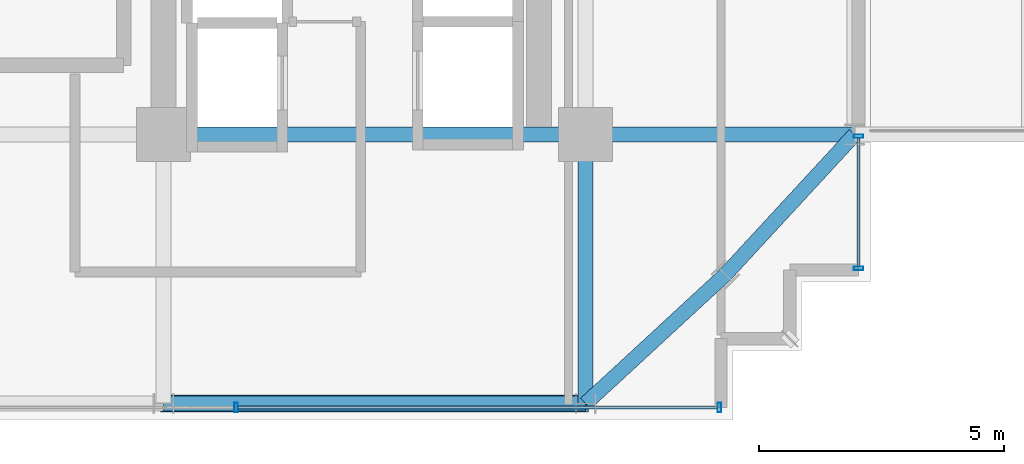
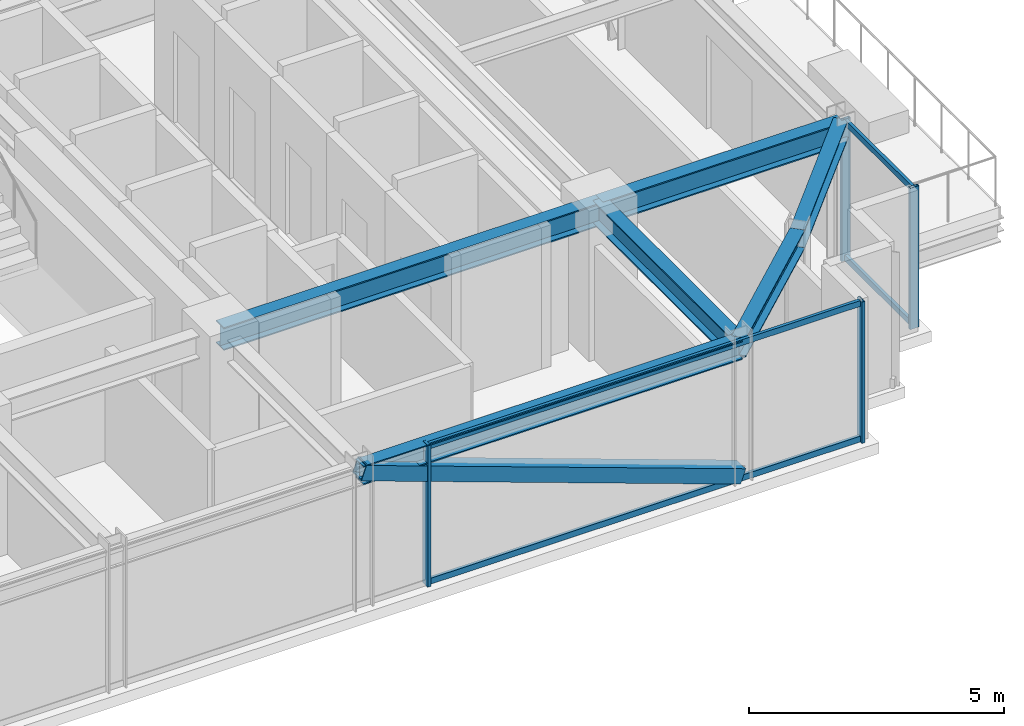
# One storey, part 14 of 41: 9 members, 6 beams, 2 elements without a shape of their own.
"""IFC4 building model written with IfcOpenShell, lengths in metres."""

from ifc_helpers import new_model, si_unit, direction, frame, origin, origin_2d, place, context, subcontext, project, spatial, hollow_rectangle, i_section, extrude, source, transform, mapped, material, material_profile, profile_set, type_object, element, aggregate, save


model = new_model("IFC4")

# Units and contexts
model_context = context("Model", 3, precision=1e-05, world=origin(), true_north=direction((0.0, 1.0)))
body_context = subcontext(model_context, "Body", "Model", "MODEL_VIEW")
ifc_project = project(units=[si_unit("LENGTHUNIT", "METRE"), si_unit("AREAUNIT", "SQUARE_METRE"), si_unit("VOLUMEUNIT", "CUBIC_METRE"), si_unit("PLANEANGLEUNIT", "RADIAN"), si_unit("MASSUNIT", "GRAM", prefix="KILO")], contexts=[model_context])

# Site, building, storey
site_placement = place(None, origin())
site = spatial("IfcSite", under=ifc_project, at=site_placement, CompositionType="ELEMENT")
building_placement = place(site_placement, origin())
building = spatial("IfcBuilding", under=site, at=building_placement, Name="Nahalor Promenade Grand Hotel", CompositionType="ELEMENT")
storey_placement = place(building_placement, frame((0.0, 0.0, 159.949951171875)))
storey = spatial("IfcBuildingStorey", under=building, at=storey_placement, Name="L40", CompositionType="ELEMENT", Elevation=159.949951171875)

# Beams
ifc_material_1 = material(Name="Steel S355JR", Category="steel")
ifc_material_profile_1 = material_profile(ifc_material_1, i_section(OverallWidth=0.3, OverallDepth=0.55, WebThickness=0.015, FlangeThickness=0.029, at=origin_2d()), Name="HEB 550")
ifc_profile_set_1 = profile_set([ifc_material_profile_1], Name="Steel S355JR")
beam_type_1 = type_object("IfcBeamType", Name="Beam-Girder-HEB550", PredefinedType="BEAM", material=ifc_profile_set_1)
shared_shape_1 = source(origin(), body_context, "Body", "SweptSolid", [
    extrude(i_section(OverallWidth=0.3, OverallDepth=0.55, WebThickness=0.015, FlangeThickness=0.029, at=origin_2d()), origin(), (0.0, 0.0, 1.0), 8.60009765625),
])
beam_1_placement = place(storey_placement, frame((8.39990234375, -17.0, 3.114990234375), z_axis=(1.0, 0.0, 0.0), x_axis=(0.0, 1.0, 0.0)))
element("IfcBeam", 1, at=beam_1_placement, inside=storey, type_object=beam_type_1, Name="BM-L40-GX-0-5", PredefinedType="BEAM", context=body_context, shape_type="MappedRepresentation", body=[
    mapped(shared_shape_1, transform((0.0, 0.0, 0.0), scale=1.0)),
])
shared_shape_2 = source(origin(), body_context, "Body", "SweptSolid", [
    extrude(i_section(OverallWidth=0.3, OverallDepth=0.55, WebThickness=0.015, FlangeThickness=0.029, at=origin_2d()), origin(), (0.0, 0.0, 1.0), 5.47998046875),
])
for number, where, z_axis, x_axis, name in (
    (2, (17.0, -17.0, 3.114990234375), (1.0, 0.0, 0.0), (0.0, 1.0, 0.0), "BM-L40-GX-0-6"),
    (3, (17.0, -22.47998046875, 3.114990234375), (0.0, 1.0, 0.0), (-1.0, 0.0, 0.0), "BM-L40-GY-5-0"),
):
    element("IfcBeam", number, at=place(storey_placement, frame(where, z_axis=z_axis, x_axis=x_axis)), inside=storey, type_object=beam_type_1, Name=name, PredefinedType="BEAM", context=body_context, shape_type="MappedRepresentation", body=[
        mapped(shared_shape_2, transform((0.0, 0.0, 0.0), scale=1.0)),
    ])
ifc_material_profile_2 = material_profile(ifc_material_1, i_section(OverallWidth=0.3, OverallDepth=0.45, WebThickness=0.014, FlangeThickness=0.026, at=origin_2d()), Name="HEB 450")
ifc_profile_set_2 = profile_set([ifc_material_profile_2], Name="Steel S355JR")
beam_type_2 = type_object("IfcBeamType", Name="Beam-Spandrel-HEB450", PredefinedType="SPANDREL", material=ifc_profile_set_2)
shared_shape_3 = source(origin(), body_context, "Body", "SweptSolid", [
    extrude(i_section(OverallWidth=0.3, OverallDepth=0.45, WebThickness=0.014, FlangeThickness=0.026, at=origin_2d()), origin(), (0.0, 0.0, 1.0), 8.60009765625),
])
beam_2_placement = place(storey_placement, frame((8.39990234375, -22.47998046875, 3.1650390625), z_axis=(1.0, 0.0, 0.0), x_axis=(0.0, 1.0, 0.0)))
element("IfcBeam", 4, at=beam_2_placement, inside=storey, type_object=beam_type_2, Name="BM-L40-SP-S-4", PredefinedType="SPANDREL", context=body_context, shape_type="MappedRepresentation", body=[
    mapped(shared_shape_3, transform((0.0, 0.0, 0.0), scale=1.0)),
])
shared_shape_4 = source(origin(), body_context, "Body", "SweptSolid", [
    extrude(i_section(OverallWidth=0.3, OverallDepth=0.45, WebThickness=0.014, FlangeThickness=0.026, at=origin_2d()), origin(), (0.0, 0.0, 1.0), 3.878173828125),
])
for number, where, z_axis, x_axis, name in (
    (5, (17.0, -22.47998046875, 3.1650390625), (0.73492893846, 0.678144125843, 0.0), (-0.678144125843, 0.73492893846, 0.0), "BM-L40-SPC-SE-1"),
    (6, (19.85009765625, -19.85009765625, 3.1650390625), (0.678144125843, 0.73492893846, 0.0), (-0.73492893846, 0.678144125843, 0.0), "BM-L40-SPC-SE-2"),
):
    element("IfcBeam", number, at=place(storey_placement, frame(where, z_axis=z_axis, x_axis=x_axis)), inside=storey, type_object=beam_type_2, Name=name, PredefinedType="SPANDREL", context=body_context, shape_type="MappedRepresentation", body=[
        mapped(shared_shape_4, transform((0.0, 0.0, 0.0), scale=1.0)),
    ])

# Member
ifc_material_profile_3 = material_profile(ifc_material_1, hollow_rectangle(XDim=0.35, YDim=0.35, WallThickness=0.02, at=origin_2d()), Name="SHS 350x350x20")
ifc_profile_set_3 = profile_set([ifc_material_profile_3], Name="Steel S355JR")
member_type_1 = type_object("IfcMemberType", Name="Mem-VoidBrace-SHS350", PredefinedType="BRACE", material=ifc_profile_set_3)
shared_shape_5 = source(origin(), body_context, "Body", "SweptSolid", [
    extrude(hollow_rectangle(XDim=0.35, YDim=0.35, WallThickness=0.02, at=origin_2d()), origin(), (0.0, 0.0, 1.0), 9.138427734375),
])
member_1_placement = place(storey_placement, frame((17.0, -22.47998046875, 0.150146484375), z_axis=(-0.941103144716, 0.0, 0.338119610501), x_axis=(0.0, -1.0, 0.0)))
element("IfcMember", 7, at=member_1_placement, inside=storey, type_object=member_type_1, Name="EXO-L40-S-1", PredefinedType="BRACE", context=body_context, shape_type="MappedRepresentation", body=[
    mapped(shared_shape_5, transform((0.0, 0.0, 0.0), scale=1.0)),
])

# Curtain wall, members
ifc_material_2 = material(Name="Anodised Bronze Aluminium EN AW-6063 T6", Category="aluminium")
curtain_wall_type = type_object("IfcCurtainWallType", Name="CW3 Elliptical-Void Collar Unitised Curtain Wall", PredefinedType="USERDEFINED", material=ifc_material_2)
curtain_wall_1_placement = place(storey_placement, origin())
curtain_wall_1 = element("IfcCurtainWall", 8, at=curtain_wall_1_placement, inside=storey, type_object=curtain_wall_type, Name="L40 Curtain Wall CW-L40-S-1", ObjectType="UNITISED_CURTAIN_WALL", PredefinedType="USERDEFINED")
ifc_material_profile_4 = material_profile(ifc_material_2, hollow_rectangle(XDim=0.07, YDim=0.2, WallThickness=0.005, at=origin_2d()), Name="CWM 70x200x5")
ifc_profile_set_4 = profile_set([ifc_material_profile_4], Name="Anodised Bronze Aluminium EN AW-6063 T6")
member_type_2 = type_object("IfcMemberType", Name="CWM3 Void Collar Mullion 70x200", PredefinedType="MULLION", material=ifc_profile_set_4)
shared_shape_6 = source(origin(), body_context, "Body", "SweptSolid", [
    extrude(hollow_rectangle(XDim=0.07, YDim=0.2, WallThickness=0.005, at=origin_2d()), origin(), (0.0, 0.0, 1.0), 3.39013671875),
])
member_2_placement = place(storey_placement, frame((9.8798828125, -22.56005859375, 0.0), z_axis=(0.0, 0.0, 1.0), x_axis=(1.0, 0.0, 0.0)))
member_2 = element("IfcMember", 9, at=member_2_placement, type_object=member_type_2, Name="CW-L40-S-1 Mullion 3", PredefinedType="MULLION", context=body_context, shape_type="MappedRepresentation", body=[
    mapped(shared_shape_6, transform((0.0, 0.0, 0.0), scale=1.0)),
])
member_3_placement = place(storey_placement, frame((19.72509765625, -22.56005859375, 0.0), z_axis=(0.0, 0.0, 1.0), x_axis=(1.0, 0.0, 0.0)))
member_3 = element("IfcMember", 10, at=member_3_placement, type_object=member_type_2, Name="CW-L40-S-1 Mullion 4", PredefinedType="MULLION", context=body_context, shape_type="MappedRepresentation", body=[
    mapped(shared_shape_6, transform((0.0, 0.0, 0.0), scale=1.0)),
])

curtain_wall_2_placement = place(storey_placement, origin())
curtain_wall_2 = element("IfcCurtainWall", 11, at=curtain_wall_2_placement, inside=storey, type_object=curtain_wall_type, Name="L40 Curtain Wall CW-L40-E-1", ObjectType="UNITISED_CURTAIN_WALL", PredefinedType="USERDEFINED")
member_4_placement = place(storey_placement, frame((22.56005859375, -19.72509765625, 0.0), z_axis=(0.0, 0.0, 1.0), x_axis=(0.0, 1.0, 0.0)))
member_4 = element("IfcMember", 12, at=member_4_placement, type_object=member_type_2, Name="CW-L40-E-1 Mullion 0", PredefinedType="MULLION", context=body_context, shape_type="MappedRepresentation", body=[
    mapped(shared_shape_6, transform((0.0, 0.0, 0.0), scale=1.0)),
])
member_5_placement = place(storey_placement, frame((22.56005859375, -17.034912109375, 0.0), z_axis=(0.0, 0.0, 1.0), x_axis=(0.0, 1.0, 0.0)))
member_5 = element("IfcMember", 13, at=member_5_placement, type_object=member_type_2, Name="CW-L40-E-1 Mullion 1", PredefinedType="MULLION", context=body_context, shape_type="MappedRepresentation", body=[
    mapped(shared_shape_6, transform((0.0, 0.0, 0.0), scale=1.0)),
])

# Member
ifc_material_profile_5 = material_profile(ifc_material_2, hollow_rectangle(XDim=0.07, YDim=0.14, WallThickness=0.004, at=origin_2d()), Name="CWT 70x140x4")
ifc_profile_set_5 = profile_set([ifc_material_profile_5], Name="Anodised Bronze Aluminium EN AW-6063 T6")
member_type_3 = type_object("IfcMemberType", Name="CWT3 Void Collar Transom 70x140", PredefinedType="USERDEFINED", material=ifc_profile_set_5)
shared_shape_7 = source(origin(), body_context, "Body", "SweptSolid", [
    extrude(hollow_rectangle(XDim=0.07, YDim=0.14, WallThickness=0.004, at=origin_2d()), origin(), (0.0, 0.0, 1.0), 9.77490234375),
])
member_6_placement = place(storey_placement, frame((9.9150390625, -22.56005859375, 0.070068359375), z_axis=(1.0, 0.0, 0.0), x_axis=(0.0, 1.0, 0.0)))
member_6 = element("IfcMember", 14, at=member_6_placement, type_object=member_type_3, Name="CW-L40-S-1 Transom 3-0", ObjectType="TRANSOM", PredefinedType="USERDEFINED", context=body_context, shape_type="MappedRepresentation", body=[
    mapped(shared_shape_7, transform((0.0, 0.0, 0.0), scale=1.0)),
])

member_7_placement = place(storey_placement, frame((9.9150390625, -22.56005859375, 3.320068359375), z_axis=(1.0, 0.0, 0.0), x_axis=(0.0, 1.0, 0.0)))
member_7 = element("IfcMember", 15, at=member_7_placement, type_object=member_type_3, Name="CW-L40-S-1 Transom 3-1", ObjectType="TRANSOM", PredefinedType="USERDEFINED", context=body_context, shape_type="MappedRepresentation", body=[
    mapped(shared_shape_7, transform((0.0, 0.0, 0.0), scale=1.0)),
])

aggregate(curtain_wall_1, [member_2, member_3, member_6, member_7])

shared_shape_8 = source(origin(), body_context, "Body", "SweptSolid", [
    extrude(hollow_rectangle(XDim=0.07, YDim=0.14, WallThickness=0.004, at=origin_2d()), origin(), (0.0, 0.0, 1.0), 2.619873046875),
])
member_8_placement = place(storey_placement, frame((22.56005859375, -19.68994140625, 0.070068359375), z_axis=(0.0, 1.0, 0.0), x_axis=(-1.0, 0.0, 0.0)))
member_8 = element("IfcMember", 16, at=member_8_placement, type_object=member_type_3, Name="CW-L40-E-1 Transom 0-0", ObjectType="TRANSOM", PredefinedType="USERDEFINED", context=body_context, shape_type="MappedRepresentation", body=[
    mapped(shared_shape_8, transform((0.0, 0.0, 0.0), scale=1.0)),
])

member_9_placement = place(storey_placement, frame((22.56005859375, -19.68994140625, 3.320068359375), z_axis=(0.0, 1.0, 0.0), x_axis=(-1.0, 0.0, 0.0)))
member_9 = element("IfcMember", 17, at=member_9_placement, type_object=member_type_3, Name="CW-L40-E-1 Transom 0-1", ObjectType="TRANSOM", PredefinedType="USERDEFINED", context=body_context, shape_type="MappedRepresentation", body=[
    mapped(shared_shape_8, transform((0.0, 0.0, 0.0), scale=1.0)),
])

aggregate(curtain_wall_2, [member_4, member_5, member_8, member_9])

save(model, "model.ifc")
